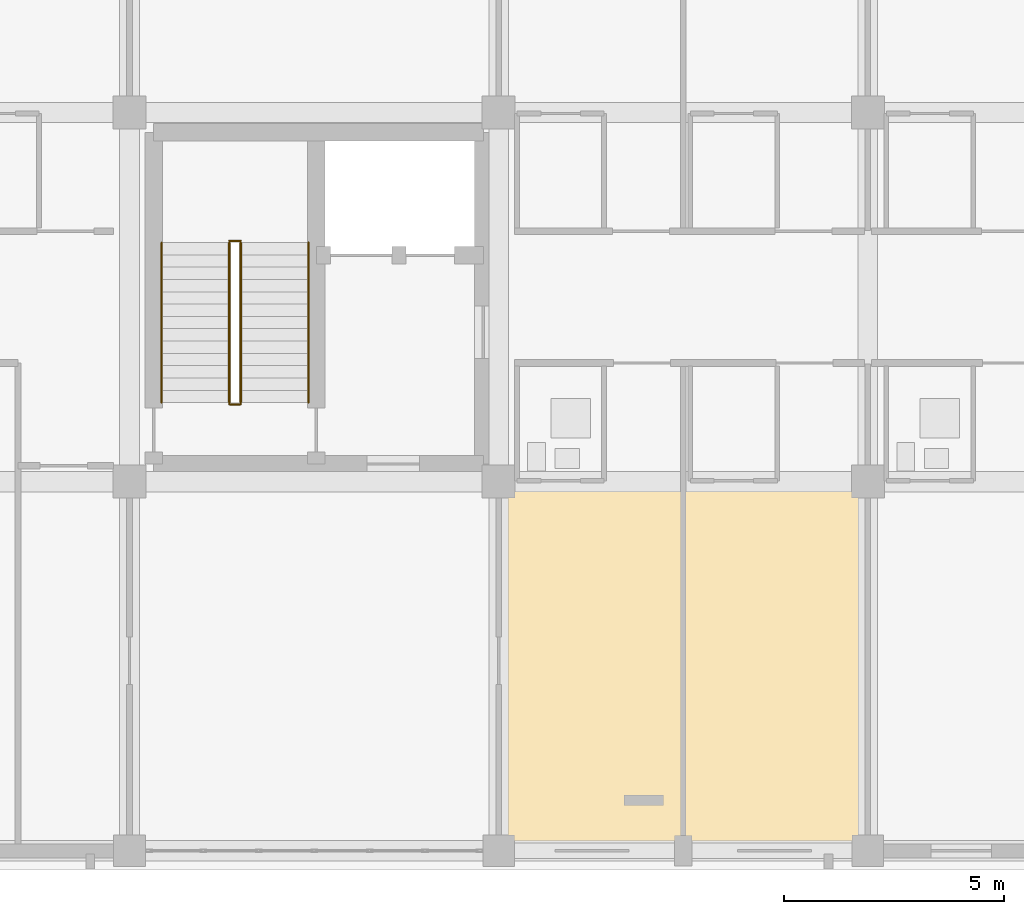
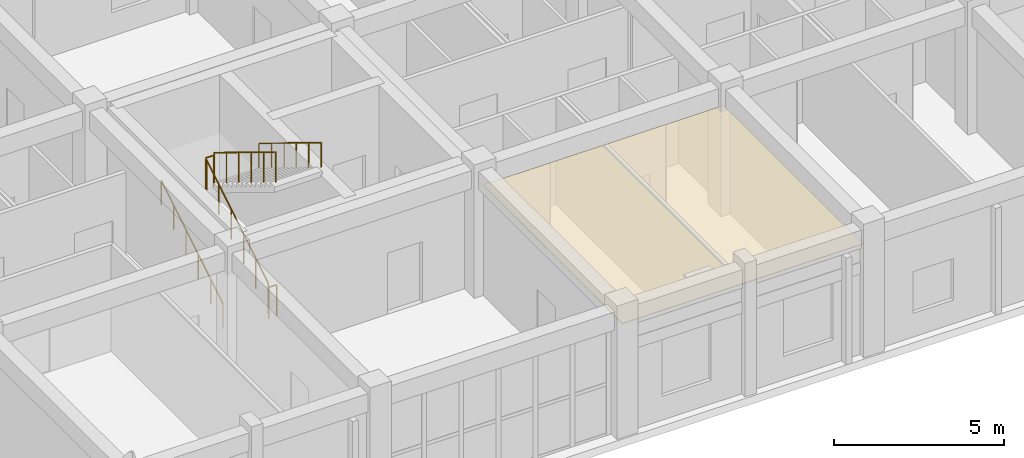
# One storey, part 144 of 158: 6 railings, 1 covering.
"""IFC4 building model written with IfcOpenShell, lengths in metres."""

import ifcopenshell
import ifcopenshell.guid

model = None  # the IFC model being written
_history = None  # IfcOwnerHistory: only IFC2X3 demands one
_inside = {}  # id of a spatial element -> (the spatial element, [elements in it])
_under = {}  # id of a project, library or spatial element -> (it, [spatial elements below it])
_declared = {}  # id of a project -> (the project, [libraries it declares])
_typed = {}  # id of a type object -> (the type object, [elements of that type])
_made_of = {}  # id of a material, layer set ... -> (it, [elements and type objects made of it])


def new_model(schema):
    """Start an empty IFC model of exactly this schema.

    Asked for "IFC4X3", IfcOpenShell would pick the latest addendum, in which some entities
    have other attributes; the version numbers below select the first issue.
    IFC2X3 requires an IfcOwnerHistory on every rooted entity: one is made here for all.
    """
    global model, _history
    if schema == "IFC4X3":
        model = ifcopenshell.file(schema_version=(4, 3, 0, 0))
    else:
        model = ifcopenshell.file(schema=schema)
    _inside.clear()
    _under.clear()
    _declared.clear()
    _typed.clear()
    _made_of.clear()
    _history = None
    if model.schema == "IFC2X3":
        org = make("IfcOrganization", Name="unknown")
        user = make(
            "IfcPersonAndOrganization",
            ThePerson=make("IfcPerson", FamilyName="unknown"),
            TheOrganization=org,
        )
        app = make(
            "IfcApplication",
            ApplicationDeveloper=org,
            Version="unknown",
            ApplicationFullName="unknown",
            ApplicationIdentifier="unknown",
        )
        _history = make(
            "IfcOwnerHistory",
            OwningUser=user,
            OwningApplication=app,
            ChangeAction="ADDED",
            CreationDate=0,
        )
    return model


def make(cls, **values):
    """One entity of the class cls with the attributes given. An attribute that is None is left unset."""
    return model.create_entity(
        cls, **{name: value for name, value in values.items() if value is not None}
    )


def rooted(cls, **values):
    """An entity with a GlobalId (a new one), such as an element, a storey or a relation."""
    return make(cls, GlobalId=ifcopenshell.guid.new(), OwnerHistory=_history, **values)


def si_unit(unit_type, name, prefix=None):
    """IfcSIUnit, for example si_unit("LENGTHUNIT", "METRE", prefix="MILLI")."""
    return make("IfcSIUnit", UnitType=unit_type, Prefix=prefix, Name=name)


def assignment(units):
    """IfcUnitAssignment: the units of a project."""
    return None if units is None else make("IfcUnitAssignment", Units=units)


def point(xyz):
    """IfcCartesianPoint."""
    return None if xyz is None else make("IfcCartesianPoint", Coordinates=xyz)


def direction(xyz):
    """IfcDirection."""
    return None if xyz is None else make("IfcDirection", DirectionRatios=xyz)


def frame(location, z_axis=None, x_axis=None):
    """IfcAxis2Placement3D, a coordinate frame: its origin and axes. An axis left out is left unset."""
    return make(
        "IfcAxis2Placement3D",
        Location=point(location),
        Axis=direction(z_axis),
        RefDirection=direction(x_axis),
    )


def frame_2d(location, x_axis=None):
    """IfcAxis2Placement2D, a coordinate frame in the plane: its origin and x axis."""
    return make(
        "IfcAxis2Placement2D", Location=point(location), RefDirection=direction(x_axis)
    )


def origin():
    """The frame at (0, 0, 0) with its axes left unset."""
    return frame((0.0, 0.0, 0.0))


def origin_2d():
    """The frame at (0, 0) in the plane with its x axis left unset."""
    return frame_2d((0.0, 0.0))


def place(relative_to, where):
    """IfcLocalPlacement: puts the frame where relative to a parent placement (None: the world)."""
    return make(
        "IfcLocalPlacement", PlacementRelTo=relative_to, RelativePlacement=where
    )


def context(
    kind, dimensions, precision=None, world=None, true_north=None, identifier=None
):
    """IfcGeometricRepresentationContext, for example the 3D "Model" context."""
    return make(
        "IfcGeometricRepresentationContext",
        ContextIdentifier=identifier,
        ContextType=kind,
        CoordinateSpaceDimension=dimensions,
        Precision=precision,
        WorldCoordinateSystem=world,
        TrueNorth=true_north,
    )


def subcontext(parent, identifier, kind, view, scale=None):
    """IfcGeometricRepresentationSubContext, for example "Body" below "Model"."""
    return make(
        "IfcGeometricRepresentationSubContext",
        ContextIdentifier=identifier,
        ContextType=kind,
        ParentContext=parent,
        TargetScale=scale,
        TargetView=view,
    )


def project(units=None, contexts=None):
    """IfcProject with its units and contexts."""
    return rooted(
        "IfcProject",
        Name="project",
        RepresentationContexts=contexts,
        UnitsInContext=assignment(units),
    )


def spatial(cls, under=None, at=None, **own):
    """A site, building, storey or space (cls), placed at a placement, below another one or the project."""
    s = rooted(cls, ObjectPlacement=at, **own)
    if under is not None:
        _under.setdefault(under.id(), (under, []))[1].append(s)
    return s


def polyline(points):
    """IfcPolyline through the points."""
    return make("IfcPolyline", Points=[point(p) for p in points])


def profile(cls, at=None, kind="AREA", **sizes):
    """A parametric profile (cls). Its sizes go by their IFC names, for example OverallWidth=200.0."""
    return make(cls, ProfileType=kind, Position=at, **sizes)


def circle(**sizes):
    """IfcCircleProfileDef."""
    return profile("IfcCircleProfileDef", **sizes)


def outline(outer, holes=None, kind="AREA"):
    """IfcArbitraryClosedProfileDef: a profile drawn as a closed curve; with holes, ...WithVoids."""
    if holes is None:
        return make("IfcArbitraryClosedProfileDef", ProfileType=kind, OuterCurve=outer)
    return make(
        "IfcArbitraryProfileDefWithVoids",
        ProfileType=kind,
        OuterCurve=outer,
        InnerCurves=holes,
    )


def extrude(swept, where, along, depth):
    """IfcExtrudedAreaSolid: the profile swept, set in the frame where, extruded along a direction by depth."""
    return make(
        "IfcExtrudedAreaSolid",
        SweptArea=swept,
        Position=where,
        ExtrudedDirection=direction(along),
        Depth=depth,
    )


def shape(context_of_items, identifier, shape_type, items):
    """IfcShapeRepresentation: the items that make up one representation, for example the "Body"."""
    return make(
        "IfcShapeRepresentation",
        ContextOfItems=context_of_items,
        RepresentationIdentifier=identifier,
        RepresentationType=shape_type,
        Items=items,
    )


def material(Name=None, Category=None):
    """IfcMaterial."""
    return make("IfcMaterial", Name=Name, Category=Category)


def layer(
    of_material, thickness, ventilated=None, Name=None, Category=None, Priority=None
):
    """IfcMaterialLayer: one layer of a wall or slab, of a material (None: an air gap)."""
    return make(
        "IfcMaterialLayer",
        Material=of_material,
        LayerThickness=thickness,
        IsVentilated=ventilated,
        Name=Name,
        Category=Category,
        Priority=Priority,
    )


def layer_set(layers, Name=None):
    """IfcMaterialLayerSet."""
    return make("IfcMaterialLayerSet", MaterialLayers=layers, LayerSetName=Name)


def made_of(thing, what):
    """Note that an element or type object is made of a material, layer set ...; save() writes the relation."""
    if what is not None:
        _made_of.setdefault(what.id(), (what, []))[1].append(thing)
    return thing


def type_object(cls, material=None, **own):
    """A type object (cls), such as IfcWallType, which elements share."""
    return made_of(rooted(cls, **own), material)


def element(
    cls,
    number,
    at=None,
    inside=None,
    cuts=None,
    type_object=None,
    material=None,
    context=None,
    identifier="Body",
    shape_type=None,
    held_by="IfcProductDefinitionShape",
    body=None,
    shapes=None,
    **own,
):
    """One element of the class cls, such as IfcWall. Its Tag is "e" and its number.

    at: its placement. inside: the storey or other place that contains it. cuts: it is an
    opening in that element (IfcRelVoidsElement). A single representation is given by context,
    identifier, shape_type and body (its items); several are given by shapes. held_by: the class
    of the entity that holds the representations. save() writes the other relations.
    """
    e = rooted(cls, Tag="e%d" % number, ObjectPlacement=at, **own)
    if body is not None:
        shapes = [shape(context, identifier, shape_type, body)]
    if shapes is not None:
        e.Representation = make(held_by, Representations=shapes)
    if inside is not None:
        _inside.setdefault(inside.id(), (inside, []))[1].append(e)
    if cuts is not None:
        rooted(
            "IfcRelVoidsElement", RelatingBuildingElement=cuts, RelatedOpeningElement=e
        )
    if type_object is not None:
        _typed.setdefault(type_object.id(), (type_object, []))[1].append(e)
    return made_of(e, material)


def aggregate(whole, parts):
    """IfcRelAggregates: a whole, such as a stair, and the parts it consists of."""
    return rooted("IfcRelAggregates", RelatingObject=whole, RelatedObjects=parts)


def save(model, path):
    """Write the relations noted so far, then the file.

    IfcRelAggregates (storeys below a building ...), IfcRelContainedInSpatialStructure (elements
    in a storey), IfcRelDefinesByType, IfcRelAssociatesMaterial and IfcRelDeclares: one each for
    every whole, place, type object, material and project.
    """
    for whole, parts in _under.values():
        aggregate(whole, parts)
    for where, things in _inside.values():
        rooted(
            "IfcRelContainedInSpatialStructure",
            RelatedElements=things,
            RelatingStructure=where,
        )
    for kind, things in _typed.values():
        rooted("IfcRelDefinesByType", RelatedObjects=things, RelatingType=kind)
    for what, things in _made_of.values():
        rooted("IfcRelAssociatesMaterial", RelatedObjects=things, RelatingMaterial=what)
    for by, libraries in _declared.values():
        rooted("IfcRelDeclares", RelatingContext=by, RelatedDefinitions=libraries)
    model.write(path)


model = new_model("IFC4")

# Units and contexts
model_context = context("Model", 3, precision=1e-05, world=origin(), true_north=direction((0.0, 1.0)))
body_context = subcontext(model_context, "Body", "Model", "MODEL_VIEW")
ifc_project = project(units=[si_unit("LENGTHUNIT", "METRE"), si_unit("AREAUNIT", "SQUARE_METRE"), si_unit("VOLUMEUNIT", "CUBIC_METRE"), si_unit("PLANEANGLEUNIT", "RADIAN"), si_unit("MASSUNIT", "GRAM", prefix="KILO")], contexts=[model_context])

# Site, building, storey
site_placement = place(None, origin())
site = spatial("IfcSite", under=ifc_project, at=site_placement, CompositionType="ELEMENT")
building_placement = place(site_placement, origin())
building = spatial("IfcBuilding", under=site, at=building_placement, Name="Trelvath General Hospital", CompositionType="ELEMENT")
storey_placement = place(building_placement, frame((0.0, 0.0, 8.10009765625)))
storey = spatial("IfcBuildingStorey", under=building, at=storey_placement, Name="L02", CompositionType="ELEMENT", Elevation=8.10009765625)

# Covering
ifc_material_1 = material(Name="Hygienic acoustic ceiling tile")
ifc_layer = layer(ifc_material_1, 0.02490234375)
ifc_layer_set = layer_set([ifc_layer], Name="Hygienic acoustic ceiling tile")
covering_type = type_object("IfcCoveringType", Name="Ceiling ClinicalAcoustic", PredefinedType="CEILING", material=ifc_layer_set)
covering_placement = place(storey_placement, frame((0.0, 0.0, 3.719970703125)))
element("IfcCovering", 1, at=covering_placement, inside=storey, type_object=covering_type, Name="Clinical Acoustic Ceiling L02-27", PredefinedType="CEILING", context=body_context, shape_type="SweptSolid", body=[
    extrude(outline(polyline([(50.5, 0.10009765625), (58.699951171875, 0.10009765625), (58.699951171875, 8.320068359375), (50.5, 8.320068359375), (50.5, 0.10009765625)])), origin(), (0.0, 0.0, 1.0), 0.02490234375),
])

# Railings
ifc_material_2 = material(Name="Architectural painted steel", Category="steel")
railing_type_1 = type_object("IfcRailingType", Name="Guardrail Terrace1150", PredefinedType="GUARDRAIL", material=ifc_material_2)
railing_1_placement = place(storey_placement, frame((44.27001953125, 10.159912109375, 0.0)))
element("IfcRailing", 2, at=railing_1_placement, inside=storey, type_object=railing_type_1, Name="Stair Well Edge Guard C4 L02 132", PredefinedType="GUARDRAIL", context=body_context, shape_type="SweptSolid", body=[
    extrude(circle(Radius=0.02392578125, at=origin_2d()), frame((0.0, 0.0, 1.1259765625), z_axis=(1.0, 0.0, 0.0), x_axis=(0.0, 1.0, 0.0)), (0.0, 0.0, 1.0), 0.260009765625),
    extrude(circle(Radius=0.02099609375, at=origin_2d()), origin(), (0.0, 0.0, 1.0), 1.099853515625),
    extrude(circle(Radius=0.02099609375, at=origin_2d()), frame((0.260009765625, 0.0, 0.0)), (0.0, 0.0, 1.0), 1.099853515625),
])
railing_2_placement = place(storey_placement, frame((44.530029296875, 13.840087890625, 2.5712890625)))
element("IfcRailing", 3, at=railing_2_placement, inside=storey, type_object=railing_type_1, Name="Stair Rail ST4 L02 F2 L 134", PredefinedType="GUARDRAIL", context=body_context, shape_type="SweptSolid", body=[
    extrude(circle(Radius=0.02392578125, at=origin_2d()), frame((0.0, 0.0, 1.076171875), z_axis=(0.0, -0.852865859571, 0.52213008492), x_axis=(1.0, 0.0, 0.0)), (0.0, 0.0, 1.0), 4.26806640625),
    extrude(circle(Radius=0.02099609375, at=origin_2d()), origin(), (0.0, 0.0, 1.0), 1.050048828125),
    extrude(circle(Radius=0.02099609375, at=origin_2d()), frame((0.0, -0.72802734375, 0.44580078125)), (0.0, 0.0, 1.0), 1.050048828125),
    extrude(circle(Radius=0.02099609375, at=origin_2d()), frame((0.0, -1.4560546875, 0.891357421875)), (0.0, 0.0, 1.0), 1.050048828125),
    extrude(circle(Radius=0.02099609375, at=origin_2d()), frame((0.0, -2.18408203125, 1.337158203125)), (0.0, 0.0, 1.0), 1.050048828125),
    extrude(circle(Radius=0.02099609375, at=origin_2d()), frame((0.0, -2.912109375, 1.78271484375)), (0.0, 0.0, 1.0), 1.050048828125),
    extrude(circle(Radius=0.02099609375, at=origin_2d()), frame((0.0, -3.64013671875, 2.228515625)), (0.0, 0.0, 1.0), 1.050048828125),
])
railing_3_placement = place(storey_placement, frame((44.27001953125, 10.199951171875, 0.17138671875)))
element("IfcRailing", 4, at=railing_3_placement, inside=storey, type_object=railing_type_1, Name="Stair Rail ST4 L02 F1 R 135", PredefinedType="GUARDRAIL", context=body_context, shape_type="SweptSolid", body=[
    extrude(circle(Radius=0.02392578125, at=origin_2d()), frame((0.0, 0.0, 1.076171875), z_axis=(0.0, 0.852865859571, 0.52213008492), x_axis=(-1.0, 0.0, 0.0)), (0.0, 0.0, 1.0), 4.26806640625),
    extrude(circle(Radius=0.02099609375, at=origin_2d()), origin(), (0.0, 0.0, 1.0), 1.050048828125),
    extrude(circle(Radius=0.02099609375, at=origin_2d()), frame((0.0, 0.72802734375, 0.44580078125)), (0.0, 0.0, 1.0), 1.050048828125),
    extrude(circle(Radius=0.02099609375, at=origin_2d()), frame((0.0, 1.4560546875, 0.891357421875)), (0.0, 0.0, 1.0), 1.050048828125),
    extrude(circle(Radius=0.02099609375, at=origin_2d()), frame((0.0, 2.18408203125, 1.337158203125)), (0.0, 0.0, 1.0), 1.050048828125),
    extrude(circle(Radius=0.02099609375, at=origin_2d()), frame((0.0, 2.912109375, 1.78271484375)), (0.0, 0.0, 1.0), 1.050048828125),
    extrude(circle(Radius=0.02099609375, at=origin_2d()), frame((0.0, 3.64013671875, 2.228515625)), (0.0, 0.0, 1.0), 1.050048828125),
])
railing_4_placement = place(storey_placement, frame((44.27001953125, 13.8798828125, 2.39990234375)))
element("IfcRailing", 5, at=railing_4_placement, inside=storey, type_object=railing_type_1, Name="Half-Landing Well Guard ST4 L02 137", PredefinedType="GUARDRAIL", context=body_context, shape_type="SweptSolid", body=[
    extrude(circle(Radius=0.02392578125, at=origin_2d()), frame((0.0, 0.0, 1.1259765625), z_axis=(1.0, 0.0, 0.0), x_axis=(0.0, 1.0, 0.0)), (0.0, 0.0, 1.0), 0.260009765625),
    extrude(circle(Radius=0.02099609375, at=origin_2d()), origin(), (0.0, 0.0, 1.0), 1.099853515625),
    extrude(circle(Radius=0.02099609375, at=origin_2d()), frame((0.260009765625, 0.0, 0.0)), (0.0, 0.0, 1.0), 1.099853515625),
])
ifc_material_3 = material(Name="Brushed stainless steel", Category="steel")
railing_type_2 = type_object("IfcRailingType", Name="Handrail Stair900", PredefinedType="HANDRAIL", material=ifc_material_3)
railing_5_placement = place(storey_placement, frame((42.72998046875, 10.199951171875, 0.17138671875)))
element("IfcRailing", 6, at=railing_5_placement, inside=storey, type_object=railing_type_2, Name="Stair Rail ST4 L02 F1 L 133", PredefinedType="HANDRAIL", context=body_context, shape_type="SweptSolid", body=[
    extrude(circle(Radius=0.02392578125, at=origin_2d()), frame((0.0, 0.0, 0.8759765625), z_axis=(0.0, 0.852865859571, 0.52213008492), x_axis=(-1.0, 0.0, 0.0)), (0.0, 0.0, 1.0), 4.26806640625),
    extrude(circle(Radius=0.02099609375, at=origin_2d()), origin(), (0.0, 0.0, 1.0), 0.849853515625),
    extrude(circle(Radius=0.02099609375, at=origin_2d()), frame((0.0, 0.72802734375, 0.44580078125)), (0.0, 0.0, 1.0), 0.849853515625),
    extrude(circle(Radius=0.02099609375, at=origin_2d()), frame((0.0, 1.4560546875, 0.891357421875)), (0.0, 0.0, 1.0), 0.849853515625),
    extrude(circle(Radius=0.02099609375, at=origin_2d()), frame((0.0, 2.18408203125, 1.337158203125)), (0.0, 0.0, 1.0), 0.849853515625),
    extrude(circle(Radius=0.02099609375, at=origin_2d()), frame((0.0, 2.912109375, 1.78271484375)), (0.0, 0.0, 1.0), 0.849853515625),
    extrude(circle(Radius=0.02099609375, at=origin_2d()), frame((0.0, 3.64013671875, 2.228515625)), (0.0, 0.0, 1.0), 0.849853515625),
])
railing_6_placement = place(storey_placement, frame((46.070068359375, 13.840087890625, 2.5712890625)))
element("IfcRailing", 7, at=railing_6_placement, inside=storey, type_object=railing_type_2, Name="Stair Rail ST4 L02 F2 R 136", PredefinedType="HANDRAIL", context=body_context, shape_type="SweptSolid", body=[
    extrude(circle(Radius=0.02392578125, at=origin_2d()), frame((0.0, 0.0, 0.8759765625), z_axis=(0.0, -0.852865859571, 0.52213008492), x_axis=(1.0, 0.0, 0.0)), (0.0, 0.0, 1.0), 4.26806640625),
    extrude(circle(Radius=0.02099609375, at=origin_2d()), origin(), (0.0, 0.0, 1.0), 0.849853515625),
    extrude(circle(Radius=0.02099609375, at=origin_2d()), frame((0.0, -0.72802734375, 0.44580078125)), (0.0, 0.0, 1.0), 0.849853515625),
    extrude(circle(Radius=0.02099609375, at=origin_2d()), frame((0.0, -1.4560546875, 0.891357421875)), (0.0, 0.0, 1.0), 0.849853515625),
    extrude(circle(Radius=0.02099609375, at=origin_2d()), frame((0.0, -2.18408203125, 1.337158203125)), (0.0, 0.0, 1.0), 0.849853515625),
    extrude(circle(Radius=0.02099609375, at=origin_2d()), frame((0.0, -2.912109375, 1.78271484375)), (0.0, 0.0, 1.0), 0.849853515625),
    extrude(circle(Radius=0.02099609375, at=origin_2d()), frame((0.0, -3.64013671875, 2.228515625)), (0.0, 0.0, 1.0), 0.849853515625),
])

save(model, "model.ifc")
